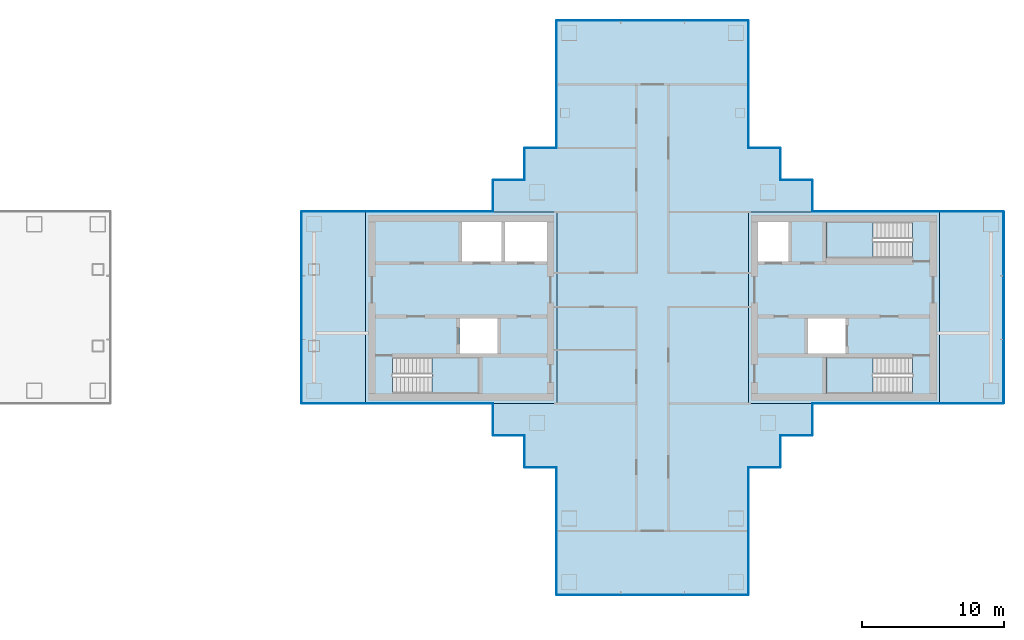
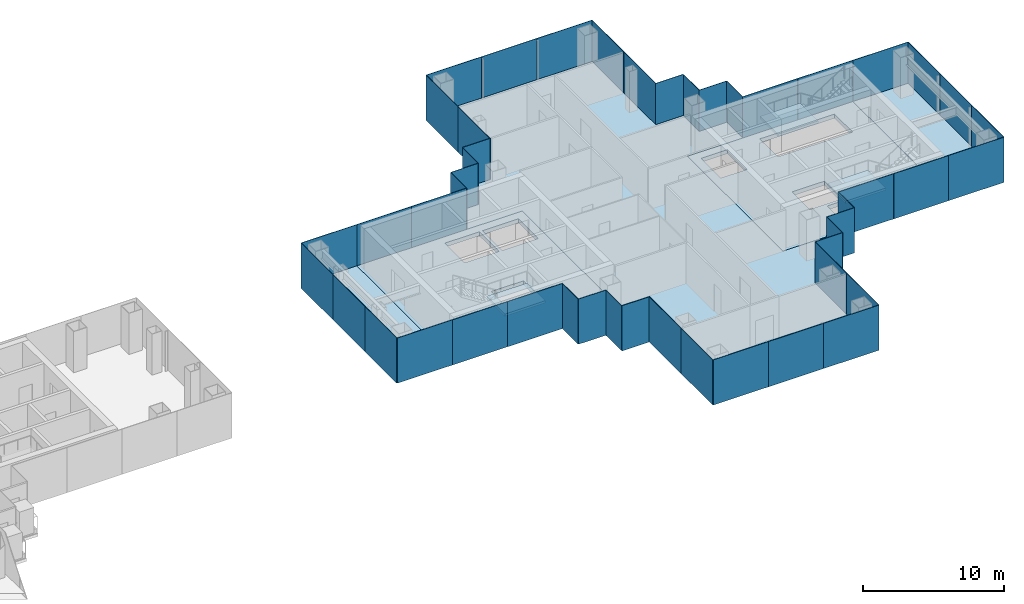
# One storey, part 8 of 16: 48 plates, 8 slabs, 23 elements without a shape of their own.
"""IFC4 building model written with IfcOpenShell, lengths in metres."""

from ifc_helpers import new_model, si_unit, direction, frame, origin, origin_2d, place, context, subcontext, project, spatial, polyline, rectangle, outline, extrude, material, layer, layer_set, type_object, element, aggregate, save


model = new_model("IFC4")

# Units and contexts
model_context = context("Model", 3, precision=1e-05, world=origin(), true_north=direction((0.0, 1.0)))
body_context = subcontext(model_context, "Body", "Model", "MODEL_VIEW")
ifc_project = project(units=[si_unit("LENGTHUNIT", "METRE"), si_unit("AREAUNIT", "SQUARE_METRE"), si_unit("VOLUMEUNIT", "CUBIC_METRE"), si_unit("PLANEANGLEUNIT", "RADIAN"), si_unit("MASSUNIT", "GRAM", prefix="KILO")], contexts=[model_context])

# Site, building, storey
site_placement = place(None, origin())
site = spatial("IfcSite", under=ifc_project, at=site_placement, CompositionType="ELEMENT")
building_placement = place(site_placement, origin())
building = spatial("IfcBuilding", under=site, at=building_placement, Name="Shamsa Quay Exchange Towers", CompositionType="ELEMENT")
storey_placement = place(building_placement, frame((0.0, 0.0, 150.60009765625)))
storey = spatial("IfcBuildingStorey", under=building, at=storey_placement, Name="L35", CompositionType="ELEMENT", Elevation=150.60009765625)

# Slabs
ifc_material_1 = material(Name="Concrete C50/60", Category="concrete")
ifc_layer_1 = layer(ifc_material_1, 0.35009765625)
ifc_layer_set_1 = layer_set([ifc_layer_1], Name="CORE FLOOR 350 C50/60")
slab_type_1 = type_object("IfcSlabType", Name="CORE FLOOR 350 C50/60", PredefinedType="FLOOR", material=ifc_layer_set_1)
slab_1_placement = place(storey_placement, frame((0.0, 0.0, -0.35009765625)))
element("IfcSlab", 1, at=slab_1_placement, inside=storey, type_object=slab_type_1, Name="Core floor T2A", PredefinedType="FLOOR", context=body_context, shape_type="SweptSolid", body=[
    extrude(outline(polyline([(13.5, -6.75), (27.0, -6.75), (27.0, 6.75), (13.5, 6.75), (13.5, -6.75)]), holes=[polyline([(15.400634765625, -6.050048828125), (15.400634765625, -3.5), (21.5, -3.5), (21.5, -6.050048828125), (15.400634765625, -6.050048828125)]), polyline([(20.300048828125, 3.25), (20.300048828125, 6.050048828125), (23.10009765625, 6.050048828125), (23.10009765625, 3.25), (20.300048828125, 3.25)]), polyline([(23.35009765625, 3.25), (23.35009765625, 6.050048828125), (26.300048828125, 6.050048828125), (26.300048828125, 3.25), (23.35009765625, 3.25)]), polyline([(20.14990234375, -3.25), (20.14990234375, -0.75), (22.800048828125, -0.75), (22.800048828125, -3.25), (20.14990234375, -3.25)])]), origin(), (0.0, 0.0, 1.0), 0.35009765625),
])
slab_2_placement = place(storey_placement, frame((0.0, 0.0, -0.35009765625)))
element("IfcSlab", 2, at=slab_2_placement, inside=storey, type_object=slab_type_1, Name="Core floor T2B", PredefinedType="FLOOR", context=body_context, shape_type="SweptSolid", body=[
    extrude(outline(polyline([(54.0, -6.75), (54.0, 6.75), (40.5, 6.75), (40.5, -6.75), (54.0, -6.75)]), holes=[polyline([(52.099365234375, -3.5), (52.099365234375, -6.050048828125), (46.0, -6.050048828125), (46.0, -3.5), (52.099365234375, -3.5)]), polyline([(52.099365234375, 6.050048828125), (52.099365234375, 3.5), (46.0, 3.5), (46.0, 6.050048828125), (52.099365234375, 6.050048828125)]), polyline([(43.35009765625, 3.25), (41.199951171875, 3.25), (41.199951171875, 6.050048828125), (43.35009765625, 6.050048828125), (43.35009765625, 3.25)]), polyline([(47.35009765625, -3.25), (44.699951171875, -3.25), (44.699951171875, -0.75), (47.35009765625, -0.75), (47.35009765625, -3.25)])]), origin(), (0.0, 0.0, 1.0), 0.35009765625),
])

# Stair, slab
ifc_material_2 = material(Name="Concrete C40/50", Category="concrete")
stair_type = type_object("IfcStairType", Name="EXIT STAIR 22 RISERS 177 MM", PredefinedType="HALF_TURN_STAIR", material=ifc_material_2)
stair_1_placement = place(storey_placement, origin())
stair_1 = element("IfcStair", 3, at=stair_1_placement, inside=storey, type_object=stair_type, Name="L35 Exit stair ST4", PredefinedType="HALF_TURN_STAIR")
ifc_layer_2 = layer(ifc_material_2, 0.199951171875)
ifc_layer_set_2 = layer_set([ifc_layer_2], Name="CORE STAIR LANDING")
slab_type_2 = type_object("IfcSlabType", Name="CORE STAIR LANDING", PredefinedType="LANDING", material=ifc_layer_set_2)
slab_3_placement = place(storey_placement, frame((0.0, 0.0, 1.75)))
slab_3 = element("IfcSlab", 4, at=slab_3_placement, type_object=slab_type_2, Name="ST4 landing 1", PredefinedType="LANDING", context=body_context, shape_type="SweptSolid", body=[
    extrude(outline(polyline([(18.199951171875, -6.050048828125), (21.5, -6.050048828125), (21.5, -3.5), (18.199951171875, -3.5), (18.199951171875, -6.050048828125)])), origin(), (0.0, 0.0, 1.0), 0.199951171875),
])
aggregate(stair_1, [slab_3])

stair_2_placement = place(storey_placement, origin())
stair_2 = element("IfcStair", 5, at=stair_2_placement, inside=storey, type_object=stair_type, Name="L35 Exit stair ST5", PredefinedType="HALF_TURN_STAIR")
slab_4_placement = place(storey_placement, frame((0.0, 0.0, 1.75)))
slab_4 = element("IfcSlab", 6, at=slab_4_placement, type_object=slab_type_2, Name="ST5 landing 1", PredefinedType="LANDING", context=body_context, shape_type="SweptSolid", body=[
    extrude(outline(polyline([(49.300048828125, -3.5), (46.0, -3.5), (46.0, -6.050048828125), (49.300048828125, -6.050048828125), (49.300048828125, -3.5)])), origin(), (0.0, 0.0, 1.0), 0.199951171875),
])
aggregate(stair_2, [slab_4])

stair_3_placement = place(storey_placement, origin())
stair_3 = element("IfcStair", 7, at=stair_3_placement, inside=storey, type_object=stair_type, Name="L35 Exit stair ST6", PredefinedType="HALF_TURN_STAIR")
slab_5_placement = place(storey_placement, frame((0.0, 0.0, 1.75)))
slab_5 = element("IfcSlab", 8, at=slab_5_placement, type_object=slab_type_2, Name="ST6 landing 1", PredefinedType="LANDING", context=body_context, shape_type="SweptSolid", body=[
    extrude(outline(polyline([(49.300048828125, 6.050048828125), (46.0, 6.050048828125), (46.0, 3.5), (49.300048828125, 3.5), (49.300048828125, 6.050048828125)])), origin(), (0.0, 0.0, 1.0), 0.199951171875),
])
aggregate(stair_3, [slab_5])

# Curtain wall, plate
ifc_material_3 = material(Name="Aluminium EN AW-6063 T6, black anodised", Category="aluminium")
ifc_layer_3 = layer(ifc_material_3, 0.280029296875)
ifc_layer_set_3 = layer_set([ifc_layer_3], Name="CW-1 UNITISED VISION GLASS")
curtain_wall_type_1 = type_object("IfcCurtainWallType", Name="CW-1 UNITISED VISION GLASS", PredefinedType="NOTDEFINED", material=ifc_layer_set_3)
curtain_wall_1_placement = place(storey_placement, origin())
curtain_wall_1 = element("IfcCurtainWall", 9, at=curtain_wall_1_placement, inside=storey, type_object=curtain_wall_type_1, Name="CW1 T2-FLK-V-W L35", PredefinedType="NOTDEFINED")
ifc_material_4 = material(Name="Glass, laminated, dark tinted", Category="glass")
ifc_layer_4 = layer(ifc_material_4, 0.0400390625)
ifc_layer_set_4 = layer_set([ifc_layer_4], Name="CW-1 VISION GLASS 40")
plate_type_1 = type_object("IfcPlateType", Name="CW-1 VISION GLASS 40", PredefinedType="CURTAIN_PANEL", material=ifc_layer_set_4)
plate_1_placement = place(storey_placement, frame((56.25, -6.77001953125, -0.35009765625)))
plate_1 = element("IfcPlate", 10, at=plate_1_placement, type_object=plate_type_1, Name="CW1 glass panel", PredefinedType="CURTAIN_PANEL", context=body_context, shape_type="SweptSolid", body=[
    extrude(rectangle(XDim=4.5, YDim=0.0400390625, at=origin_2d()), origin(), (0.0, 0.0, 1.0), 3.89990234375),
])
aggregate(curtain_wall_1, [plate_1])

# Curtain wall, plates
curtain_wall_2_placement = place(storey_placement, origin())
curtain_wall_2 = element("IfcCurtainWall", 11, at=curtain_wall_2_placement, inside=storey, type_object=curtain_wall_type_1, Name="CW1 T2-END-V- L35", PredefinedType="NOTDEFINED")
plate_2_placement = place(storey_placement, frame((58.52001953125, -4.50244140625, -0.35009765625), z_axis=(0.0, 0.0, 1.0), x_axis=(0.0, 1.0, 0.0)))
plate_2 = element("IfcPlate", 12, at=plate_2_placement, type_object=plate_type_1, Name="CW1 glass panel", PredefinedType="CURTAIN_PANEL", context=body_context, shape_type="SweptSolid", body=[
    extrude(rectangle(XDim=4.4951171875, YDim=0.0400390625, at=origin_2d()), origin(), (0.0, 0.0, 1.0), 3.89990234375),
])
plate_3_placement = place(storey_placement, frame((58.52001953125, 0.0, -0.35009765625), z_axis=(0.0, 0.0, 1.0), x_axis=(0.0, 1.0, 0.0)))
plate_3 = element("IfcPlate", 13, at=plate_3_placement, type_object=plate_type_1, Name="CW1 glass panel", PredefinedType="CURTAIN_PANEL", context=body_context, shape_type="SweptSolid", body=[
    extrude(rectangle(XDim=4.489990234375, YDim=0.0400390625, at=origin_2d()), origin(), (0.0, 0.0, 1.0), 3.89990234375),
])
plate_4_placement = place(storey_placement, frame((58.52001953125, 4.50244140625, -0.35009765625), z_axis=(0.0, 0.0, 1.0), x_axis=(0.0, 1.0, 0.0)))
plate_4 = element("IfcPlate", 14, at=plate_4_placement, type_object=plate_type_1, Name="CW1 glass panel", PredefinedType="CURTAIN_PANEL", context=body_context, shape_type="SweptSolid", body=[
    extrude(rectangle(XDim=4.4951171875, YDim=0.0400390625, at=origin_2d()), origin(), (0.0, 0.0, 1.0), 3.89990234375),
])
aggregate(curtain_wall_2, [plate_2, plate_3, plate_4])

# Curtain wall, plate
curtain_wall_3_placement = place(storey_placement, origin())
curtain_wall_3 = element("IfcCurtainWall", 15, at=curtain_wall_3_placement, inside=storey, type_object=curtain_wall_type_1, Name="CW1 T2-FLK-V-E L35", PredefinedType="NOTDEFINED")
plate_5_placement = place(storey_placement, frame((56.25, 6.77001953125, -0.35009765625), z_axis=(0.0, 0.0, 1.0), x_axis=(-1.0, 0.0, 0.0)))
plate_5 = element("IfcPlate", 16, at=plate_5_placement, type_object=plate_type_1, Name="CW1 glass panel", PredefinedType="CURTAIN_PANEL", context=body_context, shape_type="SweptSolid", body=[
    extrude(rectangle(XDim=4.5, YDim=0.0400390625, at=origin_2d()), origin(), (0.0, 0.0, 1.0), 3.89990234375),
])
aggregate(curtain_wall_3, [plate_5])

# Curtain wall, plates
curtain_wall_4_placement = place(storey_placement, origin())
curtain_wall_4 = element("IfcCurtainWall", 17, at=curtain_wall_4_placement, inside=storey, type_object=curtain_wall_type_1, Name="CW1 T2-FLK-U+S L35", PredefinedType="NOTDEFINED")
plate_6_placement = place(storey_placement, frame((40.52001953125, 13.52587890625, -0.35009765625), z_axis=(0.0, 0.0, 1.0), x_axis=(0.0, 1.0, 0.0)))
plate_6 = element("IfcPlate", 18, at=plate_6_placement, type_object=plate_type_1, Name="CW1 glass panel", PredefinedType="CURTAIN_PANEL", context=body_context, shape_type="SweptSolid", body=[
    extrude(rectangle(XDim=4.47607421875, YDim=0.0400390625, at=origin_2d()), origin(), (0.0, 0.0, 1.0), 3.89990234375),
])
plate_7_placement = place(storey_placement, frame((40.52001953125, 18.011962890625, -0.35009765625), z_axis=(0.0, 0.0, 1.0), x_axis=(0.0, 1.0, 0.0)))
plate_7 = element("IfcPlate", 19, at=plate_7_placement, type_object=plate_type_1, Name="CW1 glass panel", PredefinedType="CURTAIN_PANEL", context=body_context, shape_type="SweptSolid", body=[
    extrude(rectangle(XDim=4.47607421875, YDim=0.0400390625, at=origin_2d()), origin(), (0.0, 0.0, 1.0), 3.89990234375),
])
aggregate(curtain_wall_4, [plate_6, plate_7])

curtain_wall_5_placement = place(storey_placement, origin())
curtain_wall_5 = element("IfcCurtainWall", 20, at=curtain_wall_5_placement, inside=storey, type_object=curtain_wall_type_1, Name="CW1 T2-END-U+ L35", PredefinedType="NOTDEFINED")
plate_8_placement = place(storey_placement, frame((38.25244140625, 20.27001953125, -0.35009765625), z_axis=(0.0, 0.0, 1.0), x_axis=(-1.0, 0.0, 0.0)))
plate_8 = element("IfcPlate", 21, at=plate_8_placement, type_object=plate_type_1, Name="CW1 glass panel", PredefinedType="CURTAIN_PANEL", context=body_context, shape_type="SweptSolid", body=[
    extrude(rectangle(XDim=4.4951171875, YDim=0.0400390625, at=origin_2d()), origin(), (0.0, 0.0, 1.0), 3.89990234375),
])
plate_9_placement = place(storey_placement, frame((33.75, 20.27001953125, -0.35009765625), z_axis=(0.0, 0.0, 1.0), x_axis=(-1.0, 0.0, 0.0)))
plate_9 = element("IfcPlate", 22, at=plate_9_placement, type_object=plate_type_1, Name="CW1 glass panel", PredefinedType="CURTAIN_PANEL", context=body_context, shape_type="SweptSolid", body=[
    extrude(rectangle(XDim=4.489990234375, YDim=0.0400390625, at=origin_2d()), origin(), (0.0, 0.0, 1.0), 3.89990234375),
])
plate_10_placement = place(storey_placement, frame((29.24755859375, 20.27001953125, -0.35009765625), z_axis=(0.0, 0.0, 1.0), x_axis=(-1.0, 0.0, 0.0)))
plate_10 = element("IfcPlate", 23, at=plate_10_placement, type_object=plate_type_1, Name="CW1 glass panel", PredefinedType="CURTAIN_PANEL", context=body_context, shape_type="SweptSolid", body=[
    extrude(rectangle(XDim=4.4951171875, YDim=0.0400390625, at=origin_2d()), origin(), (0.0, 0.0, 1.0), 3.89990234375),
])
aggregate(curtain_wall_5, [plate_8, plate_9, plate_10])

curtain_wall_6_placement = place(storey_placement, origin())
curtain_wall_6 = element("IfcCurtainWall", 24, at=curtain_wall_6_placement, inside=storey, type_object=curtain_wall_type_1, Name="CW1 T2-FLK-U+N L35", PredefinedType="NOTDEFINED")
plate_11_placement = place(storey_placement, frame((26.97998046875, 18.00244140625, -0.35009765625), z_axis=(0.0, 0.0, 1.0), x_axis=(0.0, -1.0, 0.0)))
plate_11 = element("IfcPlate", 25, at=plate_11_placement, type_object=plate_type_1, Name="CW1 glass panel", PredefinedType="CURTAIN_PANEL", context=body_context, shape_type="SweptSolid", body=[
    extrude(rectangle(XDim=4.4951171875, YDim=0.0400390625, at=origin_2d()), origin(), (0.0, 0.0, 1.0), 3.89990234375),
])
plate_12_placement = place(storey_placement, frame((26.97998046875, 13.49755859375, -0.35009765625), z_axis=(0.0, 0.0, 1.0), x_axis=(0.0, -1.0, 0.0)))
plate_12 = element("IfcPlate", 26, at=plate_12_placement, type_object=plate_type_1, Name="CW1 glass panel", PredefinedType="CURTAIN_PANEL", context=body_context, shape_type="SweptSolid", body=[
    extrude(rectangle(XDim=4.4951171875, YDim=0.0400390625, at=origin_2d()), origin(), (0.0, 0.0, 1.0), 3.89990234375),
])
aggregate(curtain_wall_6, [plate_11, plate_12])

# Curtain wall, plate
curtain_wall_7_placement = place(storey_placement, origin())
curtain_wall_7 = element("IfcCurtainWall", 27, at=curtain_wall_7_placement, inside=storey, type_object=curtain_wall_type_1, Name="CW1 T2-FLK-V+E L35", PredefinedType="NOTDEFINED")
plate_13_placement = place(storey_placement, frame((11.25, 6.77001953125, -0.35009765625), z_axis=(0.0, 0.0, 1.0), x_axis=(-1.0, 0.0, 0.0)))
plate_13 = element("IfcPlate", 28, at=plate_13_placement, type_object=plate_type_1, Name="CW1 glass panel", PredefinedType="CURTAIN_PANEL", context=body_context, shape_type="SweptSolid", body=[
    extrude(rectangle(XDim=4.5, YDim=0.0400390625, at=origin_2d()), origin(), (0.0, 0.0, 1.0), 3.89990234375),
])
aggregate(curtain_wall_7, [plate_13])

# Curtain wall, plates
curtain_wall_8_placement = place(storey_placement, origin())
curtain_wall_8 = element("IfcCurtainWall", 29, at=curtain_wall_8_placement, inside=storey, type_object=curtain_wall_type_1, Name="CW1 T2-END-V+ L35", PredefinedType="NOTDEFINED")
plate_14_placement = place(storey_placement, frame((8.97998046875, 4.50244140625, -0.35009765625), z_axis=(0.0, 0.0, 1.0), x_axis=(0.0, -1.0, 0.0)))
plate_14 = element("IfcPlate", 30, at=plate_14_placement, type_object=plate_type_1, Name="CW1 glass panel", PredefinedType="CURTAIN_PANEL", context=body_context, shape_type="SweptSolid", body=[
    extrude(rectangle(XDim=4.4951171875, YDim=0.0400390625, at=origin_2d()), origin(), (0.0, 0.0, 1.0), 3.89990234375),
])
plate_15_placement = place(storey_placement, frame((8.97998046875, 0.0, -0.35009765625), z_axis=(0.0, 0.0, 1.0), x_axis=(0.0, -1.0, 0.0)))
plate_15 = element("IfcPlate", 31, at=plate_15_placement, type_object=plate_type_1, Name="CW1 glass panel", PredefinedType="CURTAIN_PANEL", context=body_context, shape_type="SweptSolid", body=[
    extrude(rectangle(XDim=4.489990234375, YDim=0.0400390625, at=origin_2d()), origin(), (0.0, 0.0, 1.0), 3.89990234375),
])
plate_16_placement = place(storey_placement, frame((8.97998046875, -4.50244140625, -0.35009765625), z_axis=(0.0, 0.0, 1.0), x_axis=(0.0, -1.0, 0.0)))
plate_16 = element("IfcPlate", 32, at=plate_16_placement, type_object=plate_type_1, Name="CW1 glass panel", PredefinedType="CURTAIN_PANEL", context=body_context, shape_type="SweptSolid", body=[
    extrude(rectangle(XDim=4.4951171875, YDim=0.0400390625, at=origin_2d()), origin(), (0.0, 0.0, 1.0), 3.89990234375),
])
aggregate(curtain_wall_8, [plate_14, plate_15, plate_16])

# Curtain wall, plate
curtain_wall_9_placement = place(storey_placement, origin())
curtain_wall_9 = element("IfcCurtainWall", 33, at=curtain_wall_9_placement, inside=storey, type_object=curtain_wall_type_1, Name="CW1 T2-FLK-V+W L35", PredefinedType="NOTDEFINED")
plate_17_placement = place(storey_placement, frame((11.25, -6.77001953125, -0.35009765625)))
plate_17 = element("IfcPlate", 34, at=plate_17_placement, type_object=plate_type_1, Name="CW1 glass panel", PredefinedType="CURTAIN_PANEL", context=body_context, shape_type="SweptSolid", body=[
    extrude(rectangle(XDim=4.5, YDim=0.0400390625, at=origin_2d()), origin(), (0.0, 0.0, 1.0), 3.89990234375),
])
aggregate(curtain_wall_9, [plate_17])

# Curtain wall, plates
curtain_wall_10_placement = place(storey_placement, origin())
curtain_wall_10 = element("IfcCurtainWall", 35, at=curtain_wall_10_placement, inside=storey, type_object=curtain_wall_type_1, Name="CW1 T2-FLK-U-N L35", PredefinedType="NOTDEFINED")
plate_18_placement = place(storey_placement, frame((26.97998046875, -13.52587890625, -0.35009765625), z_axis=(0.0, 0.0, 1.0), x_axis=(0.0, -1.0, 0.0)))
plate_18 = element("IfcPlate", 36, at=plate_18_placement, type_object=plate_type_1, Name="CW1 glass panel", PredefinedType="CURTAIN_PANEL", context=body_context, shape_type="SweptSolid", body=[
    extrude(rectangle(XDim=4.47607421875, YDim=0.0400390625, at=origin_2d()), origin(), (0.0, 0.0, 1.0), 3.89990234375),
])
plate_19_placement = place(storey_placement, frame((26.97998046875, -18.011962890625, -0.35009765625), z_axis=(0.0, 0.0, 1.0), x_axis=(0.0, -1.0, 0.0)))
plate_19 = element("IfcPlate", 37, at=plate_19_placement, type_object=plate_type_1, Name="CW1 glass panel", PredefinedType="CURTAIN_PANEL", context=body_context, shape_type="SweptSolid", body=[
    extrude(rectangle(XDim=4.47607421875, YDim=0.0400390625, at=origin_2d()), origin(), (0.0, 0.0, 1.0), 3.89990234375),
])
aggregate(curtain_wall_10, [plate_18, plate_19])

curtain_wall_11_placement = place(storey_placement, origin())
curtain_wall_11 = element("IfcCurtainWall", 38, at=curtain_wall_11_placement, inside=storey, type_object=curtain_wall_type_1, Name="CW1 T2-END-U- L35", PredefinedType="NOTDEFINED")
plate_20_placement = place(storey_placement, frame((29.24755859375, -20.27001953125, -0.35009765625)))
plate_20 = element("IfcPlate", 39, at=plate_20_placement, type_object=plate_type_1, Name="CW1 glass panel", PredefinedType="CURTAIN_PANEL", context=body_context, shape_type="SweptSolid", body=[
    extrude(rectangle(XDim=4.4951171875, YDim=0.0400390625, at=origin_2d()), origin(), (0.0, 0.0, 1.0), 3.89990234375),
])
plate_21_placement = place(storey_placement, frame((33.75, -20.27001953125, -0.35009765625)))
plate_21 = element("IfcPlate", 40, at=plate_21_placement, type_object=plate_type_1, Name="CW1 glass panel", PredefinedType="CURTAIN_PANEL", context=body_context, shape_type="SweptSolid", body=[
    extrude(rectangle(XDim=4.489990234375, YDim=0.0400390625, at=origin_2d()), origin(), (0.0, 0.0, 1.0), 3.89990234375),
])
plate_22_placement = place(storey_placement, frame((38.25244140625, -20.27001953125, -0.35009765625)))
plate_22 = element("IfcPlate", 41, at=plate_22_placement, type_object=plate_type_1, Name="CW1 glass panel", PredefinedType="CURTAIN_PANEL", context=body_context, shape_type="SweptSolid", body=[
    extrude(rectangle(XDim=4.4951171875, YDim=0.0400390625, at=origin_2d()), origin(), (0.0, 0.0, 1.0), 3.89990234375),
])
aggregate(curtain_wall_11, [plate_20, plate_21, plate_22])

curtain_wall_12_placement = place(storey_placement, origin())
curtain_wall_12 = element("IfcCurtainWall", 42, at=curtain_wall_12_placement, inside=storey, type_object=curtain_wall_type_1, Name="CW1 T2-FLK-U-S L35", PredefinedType="NOTDEFINED")
plate_23_placement = place(storey_placement, frame((40.52001953125, -18.00244140625, -0.35009765625), z_axis=(0.0, 0.0, 1.0), x_axis=(0.0, 1.0, 0.0)))
plate_23 = element("IfcPlate", 43, at=plate_23_placement, type_object=plate_type_1, Name="CW1 glass panel", PredefinedType="CURTAIN_PANEL", context=body_context, shape_type="SweptSolid", body=[
    extrude(rectangle(XDim=4.4951171875, YDim=0.0400390625, at=origin_2d()), origin(), (0.0, 0.0, 1.0), 3.89990234375),
])
plate_24_placement = place(storey_placement, frame((40.52001953125, -13.49755859375, -0.35009765625), z_axis=(0.0, 0.0, 1.0), x_axis=(0.0, 1.0, 0.0)))
plate_24 = element("IfcPlate", 44, at=plate_24_placement, type_object=plate_type_1, Name="CW1 glass panel", PredefinedType="CURTAIN_PANEL", context=body_context, shape_type="SweptSolid", body=[
    extrude(rectangle(XDim=4.4951171875, YDim=0.0400390625, at=origin_2d()), origin(), (0.0, 0.0, 1.0), 3.89990234375),
])
aggregate(curtain_wall_12, [plate_23, plate_24])

ifc_layer_5 = layer(ifc_material_3, 0.303955078125)
ifc_layer_set_5 = layer_set([ifc_layer_5], Name="CW-2 UNITISED OPAQUE SPANDREL GLASS")
curtain_wall_type_2 = type_object("IfcCurtainWallType", Name="CW-2 UNITISED OPAQUE SPANDREL GLASS", PredefinedType="NOTDEFINED", material=ifc_layer_set_5)
curtain_wall_13_placement = place(storey_placement, origin())
curtain_wall_13 = element("IfcCurtainWall", 45, at=curtain_wall_13_placement, inside=storey, type_object=curtain_wall_type_2, Name="CW2 T2-FLK-V-W L35", PredefinedType="NOTDEFINED")
ifc_material_5 = material(Name="Glass, laminated, black enamelled opaque", Category="glass")
ifc_layer_6 = layer(ifc_material_5, 0.0439453125)
ifc_layer_set_6 = layer_set([ifc_layer_6], Name="CW-2 SPANDREL GLASS 44")
plate_type_2 = type_object("IfcPlateType", Name="CW-2 SPANDREL GLASS 44", PredefinedType="CURTAIN_PANEL", material=ifc_layer_set_6)
plate_25_placement = place(storey_placement, frame((47.27587890625, -6.77197265625, -0.35009765625)))
plate_25 = element("IfcPlate", 46, at=plate_25_placement, type_object=plate_type_2, Name="CW2 glass panel", PredefinedType="CURTAIN_PANEL", context=body_context, shape_type="SweptSolid", body=[
    extrude(rectangle(XDim=4.47607421875, YDim=0.0439453125, at=origin_2d()), origin(), (0.0, 0.0, 1.0), 3.89990234375),
])
plate_26_placement = place(storey_placement, frame((51.761962890625, -6.77197265625, -0.35009765625)))
plate_26 = element("IfcPlate", 47, at=plate_26_placement, type_object=plate_type_2, Name="CW2 glass panel", PredefinedType="CURTAIN_PANEL", context=body_context, shape_type="SweptSolid", body=[
    extrude(rectangle(XDim=4.47607421875, YDim=0.0439453125, at=origin_2d()), origin(), (0.0, 0.0, 1.0), 3.89990234375),
])
aggregate(curtain_wall_13, [plate_25, plate_26])

curtain_wall_14_placement = place(storey_placement, origin())
curtain_wall_14 = element("IfcCurtainWall", 48, at=curtain_wall_14_placement, inside=storey, type_object=curtain_wall_type_2, Name="CW2 T2-FLK-V-E L35", PredefinedType="NOTDEFINED")
plate_27_placement = place(storey_placement, frame((51.75244140625, 6.77197265625, -0.35009765625), z_axis=(0.0, 0.0, 1.0), x_axis=(-1.0, 0.0, 0.0)))
plate_27 = element("IfcPlate", 49, at=plate_27_placement, type_object=plate_type_2, Name="CW2 glass panel", PredefinedType="CURTAIN_PANEL", context=body_context, shape_type="SweptSolid", body=[
    extrude(rectangle(XDim=4.4951171875, YDim=0.0439453125, at=origin_2d()), origin(), (0.0, 0.0, 1.0), 3.89990234375),
])
plate_28_placement = place(storey_placement, frame((47.24755859375, 6.77197265625, -0.35009765625), z_axis=(0.0, 0.0, 1.0), x_axis=(-1.0, 0.0, 0.0)))
plate_28 = element("IfcPlate", 50, at=plate_28_placement, type_object=plate_type_2, Name="CW2 glass panel", PredefinedType="CURTAIN_PANEL", context=body_context, shape_type="SweptSolid", body=[
    extrude(rectangle(XDim=4.4951171875, YDim=0.0439453125, at=origin_2d()), origin(), (0.0, 0.0, 1.0), 3.89990234375),
])
aggregate(curtain_wall_14, [plate_27, plate_28])

curtain_wall_15_placement = place(storey_placement, origin())
curtain_wall_15 = element("IfcCurtainWall", 51, at=curtain_wall_15_placement, inside=storey, type_object=curtain_wall_type_2, Name="CW2 T2-FLK-V+E L35", PredefinedType="NOTDEFINED")
plate_29_placement = place(storey_placement, frame((20.22412109375, 6.77197265625, -0.35009765625), z_axis=(0.0, 0.0, 1.0), x_axis=(-1.0, 0.0, 0.0)))
plate_29 = element("IfcPlate", 52, at=plate_29_placement, type_object=plate_type_2, Name="CW2 glass panel", PredefinedType="CURTAIN_PANEL", context=body_context, shape_type="SweptSolid", body=[
    extrude(rectangle(XDim=4.47607421875, YDim=0.0439453125, at=origin_2d()), origin(), (0.0, 0.0, 1.0), 3.89990234375),
])
plate_30_placement = place(storey_placement, frame((15.738037109375, 6.77197265625, -0.35009765625), z_axis=(0.0, 0.0, 1.0), x_axis=(-1.0, 0.0, 0.0)))
plate_30 = element("IfcPlate", 53, at=plate_30_placement, type_object=plate_type_2, Name="CW2 glass panel", PredefinedType="CURTAIN_PANEL", context=body_context, shape_type="SweptSolid", body=[
    extrude(rectangle(XDim=4.47607421875, YDim=0.0439453125, at=origin_2d()), origin(), (0.0, 0.0, 1.0), 3.89990234375),
])
aggregate(curtain_wall_15, [plate_29, plate_30])

curtain_wall_16_placement = place(storey_placement, origin())
curtain_wall_16 = element("IfcCurtainWall", 54, at=curtain_wall_16_placement, inside=storey, type_object=curtain_wall_type_2, Name="CW2 T2-FLK-V+W L35", PredefinedType="NOTDEFINED")
plate_31_placement = place(storey_placement, frame((15.74755859375, -6.77197265625, -0.35009765625)))
plate_31 = element("IfcPlate", 55, at=plate_31_placement, type_object=plate_type_2, Name="CW2 glass panel", PredefinedType="CURTAIN_PANEL", context=body_context, shape_type="SweptSolid", body=[
    extrude(rectangle(XDim=4.4951171875, YDim=0.0439453125, at=origin_2d()), origin(), (0.0, 0.0, 1.0), 3.89990234375),
])
plate_32_placement = place(storey_placement, frame((20.25244140625, -6.77197265625, -0.35009765625)))
plate_32 = element("IfcPlate", 56, at=plate_32_placement, type_object=plate_type_2, Name="CW2 glass panel", PredefinedType="CURTAIN_PANEL", context=body_context, shape_type="SweptSolid", body=[
    extrude(rectangle(XDim=4.4951171875, YDim=0.0439453125, at=origin_2d()), origin(), (0.0, 0.0, 1.0), 3.89990234375),
])
aggregate(curtain_wall_16, [plate_31, plate_32])

ifc_layer_7 = layer(ifc_material_3, 0.256103515625)
ifc_layer_set_7 = layer_set([ifc_layer_7], Name="CW-4 POCKET SERRATED GLAZING")
curtain_wall_type_3 = type_object("IfcCurtainWallType", Name="CW-4 POCKET SERRATED GLAZING", PredefinedType="NOTDEFINED", material=ifc_layer_set_7)
curtain_wall_17_placement = place(storey_placement, origin())
curtain_wall_17 = element("IfcCurtainWall", 57, at=curtain_wall_17_placement, inside=storey, type_object=curtain_wall_type_3, Name="CW4 PKWS L35", PredefinedType="NOTDEFINED")
ifc_layer_8 = layer(ifc_material_4, 0.035888671875)
ifc_layer_set_8 = layer_set([ifc_layer_8], Name="CW-4 POCKET GLASS 36")
plate_type_3 = type_object("IfcPlateType", Name="CW-4 POCKET GLASS 36", PredefinedType="CURTAIN_PANEL", material=ifc_layer_set_8)
plate_33_placement = place(storey_placement, frame((43.89404296875, -9.01806640625, -0.35009765625)))
plate_33 = element("IfcPlate", 58, at=plate_33_placement, type_object=plate_type_3, Name="CW4 glass panel", PredefinedType="CURTAIN_PANEL", context=body_context, shape_type="SweptSolid", body=[
    extrude(rectangle(XDim=2.2119140625, YDim=0.035888671875, at=origin_2d()), origin(), (0.0, 0.0, 1.0), 3.89990234375),
])
plate_34_placement = place(storey_placement, frame((45.01806640625, -7.875, -0.35009765625), z_axis=(0.0, 0.0, 1.0), x_axis=(0.0, 1.0, 0.0)))
plate_34 = element("IfcPlate", 59, at=plate_34_placement, type_object=plate_type_3, Name="CW4 glass panel", PredefinedType="CURTAIN_PANEL", context=body_context, shape_type="SweptSolid", body=[
    extrude(rectangle(XDim=2.25, YDim=0.035888671875, at=origin_2d()), origin(), (0.0, 0.0, 1.0), 3.89990234375),
])
plate_35_placement = place(storey_placement, frame((41.64599609375, -11.26806640625, -0.35009765625)))
plate_35 = element("IfcPlate", 60, at=plate_35_placement, type_object=plate_type_3, Name="CW4 glass panel", PredefinedType="CURTAIN_PANEL", context=body_context, shape_type="SweptSolid", body=[
    extrude(rectangle(XDim=2.2080078125, YDim=0.035888671875, at=origin_2d()), origin(), (0.0, 0.0, 1.0), 3.89990234375),
])
plate_36_placement = place(storey_placement, frame((42.76806640625, -10.125, -0.35009765625), z_axis=(0.0, 0.0, 1.0), x_axis=(0.0, 1.0, 0.0)))
plate_36 = element("IfcPlate", 61, at=plate_36_placement, type_object=plate_type_3, Name="CW4 glass panel", PredefinedType="CURTAIN_PANEL", context=body_context, shape_type="SweptSolid", body=[
    extrude(rectangle(XDim=2.25, YDim=0.035888671875, at=origin_2d()), origin(), (0.0, 0.0, 1.0), 3.89990234375),
])
aggregate(curtain_wall_17, [plate_33, plate_34, plate_35, plate_36])

curtain_wall_18_placement = place(storey_placement, origin())
curtain_wall_18 = element("IfcCurtainWall", 62, at=curtain_wall_18_placement, inside=storey, type_object=curtain_wall_type_3, Name="CW4 PKES L35", PredefinedType="NOTDEFINED")
plate_37_placement = place(storey_placement, frame((45.01806640625, 7.89794921875, -0.35009765625), z_axis=(0.0, 0.0, 1.0), x_axis=(0.0, 1.0, 0.0)))
plate_37 = element("IfcPlate", 63, at=plate_37_placement, type_object=plate_type_3, Name="CW4 glass panel", PredefinedType="CURTAIN_PANEL", context=body_context, shape_type="SweptSolid", body=[
    extrude(rectangle(XDim=2.2041015625, YDim=0.035888671875, at=origin_2d()), origin(), (0.0, 0.0, 1.0), 3.89990234375),
])
plate_38_placement = place(storey_placement, frame((43.875, 9.01806640625, -0.35009765625), z_axis=(0.0, 0.0, 1.0), x_axis=(-1.0, 0.0, 0.0)))
plate_38 = element("IfcPlate", 64, at=plate_38_placement, type_object=plate_type_3, Name="CW4 glass panel", PredefinedType="CURTAIN_PANEL", context=body_context, shape_type="SweptSolid", body=[
    extrude(rectangle(XDim=2.25, YDim=0.035888671875, at=origin_2d()), origin(), (0.0, 0.0, 1.0), 3.89990234375),
])
plate_39_placement = place(storey_placement, frame((42.76806640625, 10.14404296875, -0.35009765625), z_axis=(0.0, 0.0, 1.0), x_axis=(0.0, 1.0, 0.0)))
plate_39 = element("IfcPlate", 65, at=plate_39_placement, type_object=plate_type_3, Name="CW4 glass panel", PredefinedType="CURTAIN_PANEL", context=body_context, shape_type="SweptSolid", body=[
    extrude(rectangle(XDim=2.2119140625, YDim=0.035888671875, at=origin_2d()), origin(), (0.0, 0.0, 1.0), 3.89990234375),
])
plate_40_placement = place(storey_placement, frame((41.625, 11.26806640625, -0.35009765625), z_axis=(0.0, 0.0, 1.0), x_axis=(-1.0, 0.0, 0.0)))
plate_40 = element("IfcPlate", 66, at=plate_40_placement, type_object=plate_type_3, Name="CW4 glass panel", PredefinedType="CURTAIN_PANEL", context=body_context, shape_type="SweptSolid", body=[
    extrude(rectangle(XDim=2.25, YDim=0.035888671875, at=origin_2d()), origin(), (0.0, 0.0, 1.0), 3.89990234375),
])
aggregate(curtain_wall_18, [plate_37, plate_38, plate_39, plate_40])

curtain_wall_19_placement = place(storey_placement, origin())
curtain_wall_19 = element("IfcCurtainWall", 67, at=curtain_wall_19_placement, inside=storey, type_object=curtain_wall_type_3, Name="CW4 PKEN L35", PredefinedType="NOTDEFINED")
plate_41_placement = place(storey_placement, frame((25.85400390625, 11.26806640625, -0.35009765625), z_axis=(0.0, 0.0, 1.0), x_axis=(-1.0, 0.0, 0.0)))
plate_41 = element("IfcPlate", 68, at=plate_41_placement, type_object=plate_type_3, Name="CW4 glass panel", PredefinedType="CURTAIN_PANEL", context=body_context, shape_type="SweptSolid", body=[
    extrude(rectangle(XDim=2.2080078125, YDim=0.035888671875, at=origin_2d()), origin(), (0.0, 0.0, 1.0), 3.89990234375),
])
plate_42_placement = place(storey_placement, frame((24.73193359375, 10.125, -0.35009765625), z_axis=(0.0, 0.0, 1.0), x_axis=(0.0, -1.0, 0.0)))
plate_42 = element("IfcPlate", 69, at=plate_42_placement, type_object=plate_type_3, Name="CW4 glass panel", PredefinedType="CURTAIN_PANEL", context=body_context, shape_type="SweptSolid", body=[
    extrude(rectangle(XDim=2.25, YDim=0.035888671875, at=origin_2d()), origin(), (0.0, 0.0, 1.0), 3.89990234375),
])
plate_43_placement = place(storey_placement, frame((23.60595703125, 9.01806640625, -0.35009765625), z_axis=(0.0, 0.0, 1.0), x_axis=(-1.0, 0.0, 0.0)))
plate_43 = element("IfcPlate", 70, at=plate_43_placement, type_object=plate_type_3, Name="CW4 glass panel", PredefinedType="CURTAIN_PANEL", context=body_context, shape_type="SweptSolid", body=[
    extrude(rectangle(XDim=2.2119140625, YDim=0.035888671875, at=origin_2d()), origin(), (0.0, 0.0, 1.0), 3.89990234375),
])
plate_44_placement = place(storey_placement, frame((22.48193359375, 7.875, -0.35009765625), z_axis=(0.0, 0.0, 1.0), x_axis=(0.0, -1.0, 0.0)))
plate_44 = element("IfcPlate", 71, at=plate_44_placement, type_object=plate_type_3, Name="CW4 glass panel", PredefinedType="CURTAIN_PANEL", context=body_context, shape_type="SweptSolid", body=[
    extrude(rectangle(XDim=2.25, YDim=0.035888671875, at=origin_2d()), origin(), (0.0, 0.0, 1.0), 3.89990234375),
])
aggregate(curtain_wall_19, [plate_41, plate_42, plate_43, plate_44])

curtain_wall_20_placement = place(storey_placement, origin())
curtain_wall_20 = element("IfcCurtainWall", 72, at=curtain_wall_20_placement, inside=storey, type_object=curtain_wall_type_3, Name="CW4 PKWN L35", PredefinedType="NOTDEFINED")
plate_45_placement = place(storey_placement, frame((22.48193359375, -7.89794921875, -0.35009765625), z_axis=(0.0, 0.0, 1.0), x_axis=(0.0, -1.0, 0.0)))
plate_45 = element("IfcPlate", 73, at=plate_45_placement, type_object=plate_type_3, Name="CW4 glass panel", PredefinedType="CURTAIN_PANEL", context=body_context, shape_type="SweptSolid", body=[
    extrude(rectangle(XDim=2.2041015625, YDim=0.035888671875, at=origin_2d()), origin(), (0.0, 0.0, 1.0), 3.89990234375),
])
plate_46_placement = place(storey_placement, frame((23.625, -9.01806640625, -0.35009765625)))
plate_46 = element("IfcPlate", 74, at=plate_46_placement, type_object=plate_type_3, Name="CW4 glass panel", PredefinedType="CURTAIN_PANEL", context=body_context, shape_type="SweptSolid", body=[
    extrude(rectangle(XDim=2.25, YDim=0.035888671875, at=origin_2d()), origin(), (0.0, 0.0, 1.0), 3.89990234375),
])
plate_47_placement = place(storey_placement, frame((24.73193359375, -10.14404296875, -0.35009765625), z_axis=(0.0, 0.0, 1.0), x_axis=(0.0, -1.0, 0.0)))
plate_47 = element("IfcPlate", 75, at=plate_47_placement, type_object=plate_type_3, Name="CW4 glass panel", PredefinedType="CURTAIN_PANEL", context=body_context, shape_type="SweptSolid", body=[
    extrude(rectangle(XDim=2.2119140625, YDim=0.035888671875, at=origin_2d()), origin(), (0.0, 0.0, 1.0), 3.89990234375),
])
plate_48_placement = place(storey_placement, frame((25.875, -11.26806640625, -0.35009765625)))
plate_48 = element("IfcPlate", 76, at=plate_48_placement, type_object=plate_type_3, Name="CW4 glass panel", PredefinedType="CURTAIN_PANEL", context=body_context, shape_type="SweptSolid", body=[
    extrude(rectangle(XDim=2.25, YDim=0.035888671875, at=origin_2d()), origin(), (0.0, 0.0, 1.0), 3.89990234375),
])
aggregate(curtain_wall_20, [plate_45, plate_46, plate_47, plate_48])

# Slabs
ifc_layer_9 = layer(ifc_material_2, 0.35009765625)
ifc_layer_set_9 = layer_set([ifc_layer_9], Name="Flat slab 350")
slab_type_3 = type_object("IfcSlabType", Name="Flat slab 350", PredefinedType="FLOOR", material=ifc_layer_set_9)
slab_6_placement = place(storey_placement, frame((0.0, 0.0, -0.35009765625)))
element("IfcSlab", 77, at=slab_6_placement, inside=storey, type_object=slab_type_3, Name="Flat slab T2 L35 4", PredefinedType="FLOOR", context=body_context, shape_type="SweptSolid", body=[
    extrude(outline(polyline([(9.0, -6.75), (13.5, -6.75), (13.5, 6.75), (9.0, 6.75), (9.0, -6.75)])), origin(), (0.0, 0.0, 1.0), 0.35009765625),
])
slab_7_placement = place(storey_placement, frame((0.0, 0.0, -0.35009765625)))
element("IfcSlab", 78, at=slab_7_placement, inside=storey, type_object=slab_type_3, Name="Flat slab T2 L35 5", PredefinedType="FLOOR", context=body_context, shape_type="SweptSolid", body=[
    extrude(outline(polyline([(45.0, -9.0), (45.0, -6.75), (40.5, -6.75), (40.5, 6.75), (45.0, 6.75), (45.0, 9.0), (42.75, 9.0), (42.75, 11.25), (40.5, 11.25), (40.5, 20.25), (27.0, 20.25), (27.0, 11.25), (24.75, 11.25), (24.75, 9.0), (22.5, 9.0), (22.5, 6.75), (27.0, 6.75), (27.0, -6.75), (22.5, -6.75), (22.5, -9.0), (24.75, -9.0), (24.75, -11.25), (27.0, -11.25), (27.0, -20.25), (40.5, -20.25), (40.5, -11.25), (42.75, -11.25), (42.75, -9.0), (45.0, -9.0)])), origin(), (0.0, 0.0, 1.0), 0.35009765625),
])
slab_8_placement = place(storey_placement, frame((0.0, 0.0, -0.35009765625)))
element("IfcSlab", 79, at=slab_8_placement, inside=storey, type_object=slab_type_3, Name="Flat slab T2 L35 6", PredefinedType="FLOOR", context=body_context, shape_type="SweptSolid", body=[
    extrude(outline(polyline([(58.5, 6.75), (54.0, 6.75), (54.0, -6.75), (58.5, -6.75), (58.5, 6.75)])), origin(), (0.0, 0.0, 1.0), 0.35009765625),
])

save(model, "model.ifc")
